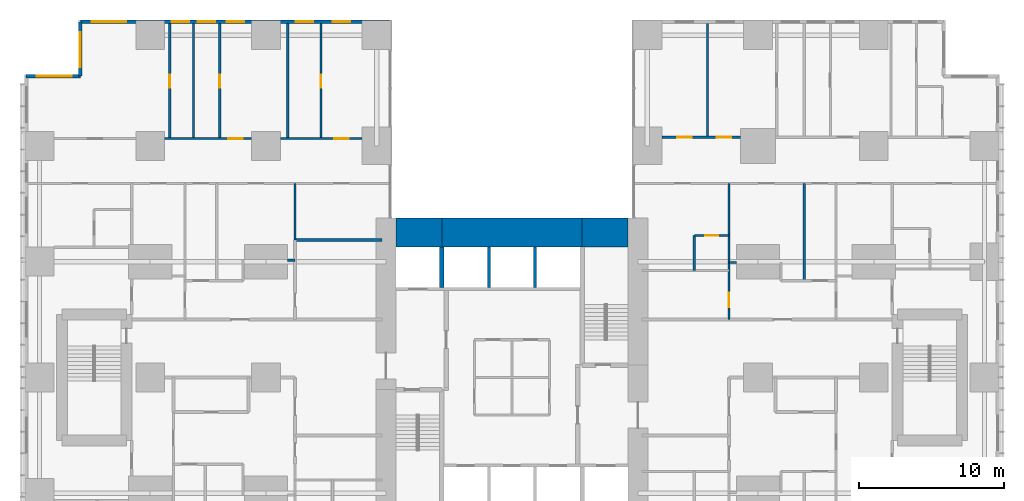
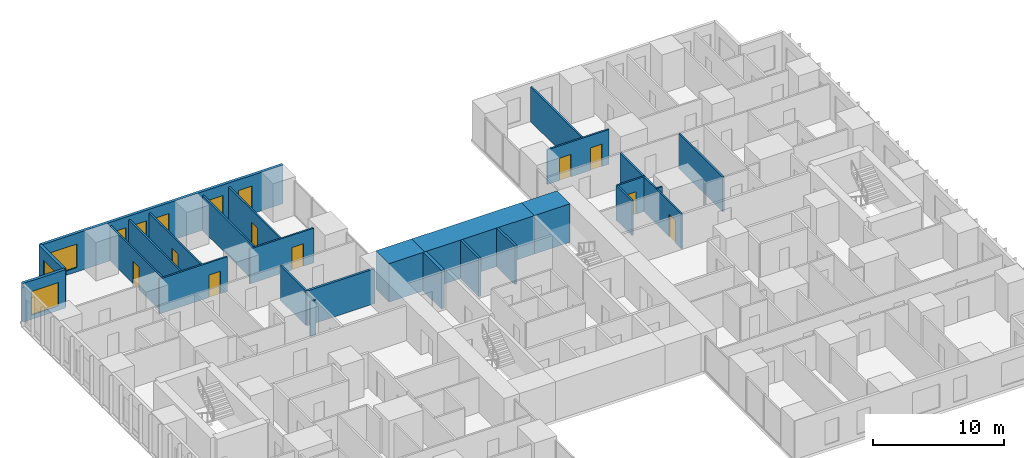
# One storey, part 17 of 20: 26 walls, 9 doors, 8 windows, 17 openings.
"""IFC4 building model written with IfcOpenShell, lengths in metres."""

from ifc_helpers import new_model, si_unit, direction, frame, frame_2d, origin, place, context, subcontext, project, spatial, rectangle, extrude, material, layer, layer_set, type_object, element, fill, save


model = new_model("IFC4")

# Units and contexts
model_context = context("Model", 3, precision=1e-05, world=origin(), true_north=direction((0.0, 1.0)))
body_context = subcontext(model_context, "Body", "Model", "MODEL_VIEW")
ifc_project = project(units=[si_unit("LENGTHUNIT", "METRE"), si_unit("AREAUNIT", "SQUARE_METRE"), si_unit("VOLUMEUNIT", "CUBIC_METRE"), si_unit("PLANEANGLEUNIT", "RADIAN"), si_unit("MASSUNIT", "GRAM", prefix="KILO")], contexts=[model_context])

# Site, building, storey
site_placement = place(None, origin())
site = spatial("IfcSite", under=ifc_project, at=site_placement, CompositionType="ELEMENT")
building_placement = place(site_placement, origin())
building = spatial("IfcBuilding", under=site, at=building_placement, Name="Cleftline Residences", CompositionType="ELEMENT")
storey_placement = place(building_placement, frame((0.0, 0.0, 168.199951171875)))
storey = spatial("IfcBuildingStorey", under=building, at=storey_placement, Name="L44", CompositionType="ELEMENT", Elevation=168.199951171875)

# Walls
ifc_material_1 = material(Name="Concrete B70", Category="concrete")
ifc_layer_1 = layer(ifc_material_1, 2.0)
ifc_layer_set_1 = layer_set([ifc_layer_1], Name="CORE WALL 2000")
wall_type_1 = type_object("IfcWallType", Name="CORE WALL 2000", PredefinedType="SHEAR", material=ifc_layer_set_1)
wall_1_placement = place(storey_placement, frame((25.0, 34.0, 0.0), z_axis=(0.0, 0.0, 1.0), x_axis=(1.0, 0.0, 0.0)))
element("IfcWall", 1, at=wall_1_placement, inside=storey, type_object=wall_type_1, Name="Core wall N1", PredefinedType="SHEAR", context=body_context, shape_type="SweptSolid", body=[
    extrude(rectangle(XDim=3.14990234375, YDim=2.0, at=frame_2d((1.574951171875, 0.0))), origin(), (0.0, 0.0, 1.0), 3.60009765625),
])
wall_2_placement = place(storey_placement, frame((28.14990234375, 34.0, 0.0), z_axis=(0.0, 0.0, 1.0), x_axis=(1.0, 0.0, 0.0)))
element("IfcWall", 2, at=wall_2_placement, inside=storey, type_object=wall_type_1, Name="Core wall N2", PredefinedType="SHEAR", context=body_context, shape_type="SweptSolid", body=[
    extrude(rectangle(XDim=9.7001953125, YDim=2.0, at=frame_2d((4.85009765625, 0.0))), origin(), (0.0, 0.0, 1.0), 3.60009765625),
])
wall_3_placement = place(storey_placement, frame((37.85009765625, 34.0, 0.0), z_axis=(0.0, 0.0, 1.0), x_axis=(1.0, 0.0, 0.0)))
element("IfcWall", 3, at=wall_3_placement, inside=storey, type_object=wall_type_1, Name="Core wall N3", PredefinedType="SHEAR", context=body_context, shape_type="SweptSolid", body=[
    extrude(rectangle(XDim=3.14990234375, YDim=2.0, at=frame_2d((1.574951171875, 0.0))), origin(), (0.0, 0.0, 1.0), 3.60009765625),
])
ifc_material_2 = material(Name="Concrete B70", Category="concrete")
ifc_layer_2 = layer(ifc_material_2, 0.300048828125)
ifc_layer_set_2 = layer_set([ifc_layer_2], Name="CORE WALL 300")
wall_type_2 = type_object("IfcWallType", Name="CORE WALL 300", PredefinedType="SHEAR", material=ifc_layer_set_2)
wall_4_placement = place(storey_placement, frame((28.14990234375, 30.199951171875, 0.0), z_axis=(0.0, 0.0, 1.0), x_axis=(0.0, 1.0, 0.0)))
element("IfcWall", 4, at=wall_4_placement, inside=storey, type_object=wall_type_2, Name="Lift shaft wall", PredefinedType="SHEAR", context=body_context, shape_type="SweptSolid", body=[
    extrude(rectangle(XDim=2.800048828125, YDim=0.300048828125, at=frame_2d((1.39990234375, 0.0))), origin(), (0.0, 0.0, 1.0), 3.60009765625),
])

# Wall, openings, windows
ifc_material_3 = material(Name="Rendered reinforced concrete blockwork", Category="masonry")
ifc_layer_3 = layer(ifc_material_3, 0.25)
ifc_layer_set_3 = layer_set([ifc_layer_3], Name="EXTERNAL WALL 250")
wall_type_3 = type_object("IfcWallType", Name="EXTERNAL WALL 250", PredefinedType="SOLIDWALL", material=ifc_layer_set_3)
wall_5_placement = place(storey_placement, frame((24.574951171875, 48.574951171875, 0.0), z_axis=(0.0, 0.0, 1.0), x_axis=(-1.0, 0.0, 0.0)))
wall_5 = element("IfcWall", 5, at=wall_5_placement, inside=storey, type_object=wall_type_3, Name="External wall", PredefinedType="SOLIDWALL", context=body_context, shape_type="SweptSolid", body=[
    extrude(rectangle(XDim=21.39990234375, YDim=0.25, at=frame_2d((10.699951171875, 0.0))), origin(), (0.0, 0.0, 1.0), 3.60009765625),
])
opening_1_placement = place(wall_5_placement, frame((2.75, 0.0, 0.39990234375)))
opening_1 = element("IfcOpeningElement", 6, at=opening_1_placement, cuts=wall_5, Name="Opening W11", PredefinedType="OPENING", context=body_context, shape_type="SweptSolid", body=[
    extrude(rectangle(XDim=1.199951171875, YDim=2.199951171875, at=frame_2d((0.60009765625, 1.10009765625))), frame((0.0, 0.135009765625, 0.0), z_axis=(0.0, -1.0, 0.0), x_axis=(1.0, 0.0, 0.0)), (0.0, 0.0, 1.0), 0.27001953125),
])
opening_2_placement = place(wall_5_placement, frame((5.324951171875, 0.0, 0.39990234375)))
opening_2 = element("IfcOpeningElement", 7, at=opening_2_placement, cuts=wall_5, Name="Opening W11", PredefinedType="OPENING", context=body_context, shape_type="SweptSolid", body=[
    extrude(rectangle(XDim=1.199951171875, YDim=2.199951171875, at=frame_2d((0.60009765625, 1.10009765625))), frame((0.0, 0.135009765625, 0.0), z_axis=(0.0, -1.0, 0.0), x_axis=(1.0, 0.0, 0.0)), (0.0, 0.0, 1.0), 0.27001953125),
])
opening_3_placement = place(wall_5_placement, frame((10.074951171875, 0.0, 0.39990234375)))
opening_3 = element("IfcOpeningElement", 8, at=opening_3_placement, cuts=wall_5, Name="Opening W11", PredefinedType="OPENING", context=body_context, shape_type="SweptSolid", body=[
    extrude(rectangle(XDim=1.199951171875, YDim=2.199951171875, at=frame_2d((0.60009765625, 1.10009765625))), frame((0.0, 0.135009765625, 0.0), z_axis=(0.0, -1.0, 0.0), x_axis=(1.0, 0.0, 0.0)), (0.0, 0.0, 1.0), 0.27001953125),
])
opening_4_placement = place(wall_5_placement, frame((12.074951171875, 0.0, 0.39990234375)))
opening_4 = element("IfcOpeningElement", 9, at=opening_4_placement, cuts=wall_5, Name="Opening W11", PredefinedType="OPENING", context=body_context, shape_type="SweptSolid", body=[
    extrude(rectangle(XDim=1.199951171875, YDim=2.199951171875, at=frame_2d((0.60009765625, 1.10009765625))), frame((0.0, 0.135009765625, 0.0), z_axis=(0.0, -1.0, 0.0), x_axis=(1.0, 0.0, 0.0)), (0.0, 0.0, 1.0), 0.27001953125),
])
opening_5_placement = place(wall_5_placement, frame((13.875, 0.0, 0.39990234375)))
opening_5 = element("IfcOpeningElement", 10, at=opening_5_placement, cuts=wall_5, Name="Opening W11", PredefinedType="OPENING", context=body_context, shape_type="SweptSolid", body=[
    extrude(rectangle(XDim=1.199951171875, YDim=2.199951171875, at=frame_2d((0.60009765625, 1.10009765625))), frame((0.0, 0.135009765625, 0.0), z_axis=(0.0, -1.0, 0.0), x_axis=(1.0, 0.0, 0.0)), (0.0, 0.0, 1.0), 0.27001953125),
])
opening_6_placement = place(wall_5_placement, frame((18.22509765625, 0.0, 0.39990234375)))
opening_6 = element("IfcOpeningElement", 11, at=opening_6_placement, cuts=wall_5, Name="Opening W12", PredefinedType="OPENING", context=body_context, shape_type="SweptSolid", body=[
    extrude(rectangle(XDim=2.39990234375, YDim=2.199951171875, at=frame_2d((1.199951171875, 1.10009765625))), frame((0.0, 0.135009765625, 0.0), z_axis=(0.0, -1.0, 0.0), x_axis=(1.0, 0.0, 0.0)), (0.0, 0.0, 1.0), 0.27001953125),
])
ifc_material_4 = material(Name="Aluminium frame, clear double glazing", Category="aluminium")
window_type_1 = type_object("IfcWindowType", Name="WINDOW 1200X2200", PartitioningType="DOUBLE_PANEL_VERTICAL", PredefinedType="WINDOW", material=ifc_material_4)
window_1_placement = place(opening_1_placement, origin())
window_1 = element("IfcWindow", 12, at=window_1_placement, inside=storey, type_object=window_type_1, Name="Window", OverallHeight=2.199951171875, OverallWidth=1.199951171875, PartitioningType="SINGLE_PANEL", PredefinedType="WINDOW", context=body_context, shape_type="SweptSolid", body=[
    extrude(rectangle(XDim=1.199951171875, YDim=2.199951171875, at=frame_2d((0.60009765625, 1.10009765625))), frame((0.0, 0.030029296875, 0.0), z_axis=(0.0, -1.0, 0.0), x_axis=(1.0, 0.0, 0.0)), (0.0, 0.0, 1.0), 0.06005859375),
])
fill(opening_1, window_1)
window_2_placement = place(opening_2_placement, origin())
window_2 = element("IfcWindow", 13, at=window_2_placement, inside=storey, type_object=window_type_1, Name="Window", OverallHeight=2.199951171875, OverallWidth=1.199951171875, PartitioningType="SINGLE_PANEL", PredefinedType="WINDOW", context=body_context, shape_type="SweptSolid", body=[
    extrude(rectangle(XDim=1.199951171875, YDim=2.199951171875, at=frame_2d((0.60009765625, 1.10009765625))), frame((0.0, 0.030029296875, 0.0), z_axis=(0.0, -1.0, 0.0), x_axis=(1.0, 0.0, 0.0)), (0.0, 0.0, 1.0), 0.06005859375),
])
fill(opening_2, window_2)
window_3_placement = place(opening_3_placement, origin())
window_3 = element("IfcWindow", 14, at=window_3_placement, inside=storey, type_object=window_type_1, Name="Window", OverallHeight=2.199951171875, OverallWidth=1.199951171875, PartitioningType="SINGLE_PANEL", PredefinedType="WINDOW", context=body_context, shape_type="SweptSolid", body=[
    extrude(rectangle(XDim=1.199951171875, YDim=2.199951171875, at=frame_2d((0.60009765625, 1.10009765625))), frame((0.0, 0.030029296875, 0.0), z_axis=(0.0, -1.0, 0.0), x_axis=(1.0, 0.0, 0.0)), (0.0, 0.0, 1.0), 0.06005859375),
])
fill(opening_3, window_3)
window_4_placement = place(opening_4_placement, origin())
window_4 = element("IfcWindow", 15, at=window_4_placement, inside=storey, type_object=window_type_1, Name="Window", OverallHeight=2.199951171875, OverallWidth=1.199951171875, PartitioningType="SINGLE_PANEL", PredefinedType="WINDOW", context=body_context, shape_type="SweptSolid", body=[
    extrude(rectangle(XDim=1.199951171875, YDim=2.199951171875, at=frame_2d((0.60009765625, 1.10009765625))), frame((0.0, 0.030029296875, 0.0), z_axis=(0.0, -1.0, 0.0), x_axis=(1.0, 0.0, 0.0)), (0.0, 0.0, 1.0), 0.06005859375),
])
fill(opening_4, window_4)
window_5_placement = place(opening_5_placement, origin())
window_5 = element("IfcWindow", 16, at=window_5_placement, inside=storey, type_object=window_type_1, Name="Window", OverallHeight=2.199951171875, OverallWidth=1.199951171875, PartitioningType="SINGLE_PANEL", PredefinedType="WINDOW", context=body_context, shape_type="SweptSolid", body=[
    extrude(rectangle(XDim=1.199951171875, YDim=2.199951171875, at=frame_2d((0.60009765625, 1.10009765625))), frame((0.0, 0.030029296875, 0.0), z_axis=(0.0, -1.0, 0.0), x_axis=(1.0, 0.0, 0.0)), (0.0, 0.0, 1.0), 0.06005859375),
])
fill(opening_5, window_5)
ifc_material_5 = material(Name="Aluminium frame, clear double glazing", Category="aluminium")
window_type_2 = type_object("IfcWindowType", Name="WINDOW 2400X2200", PartitioningType="DOUBLE_PANEL_VERTICAL", PredefinedType="WINDOW", material=ifc_material_5)
window_6_placement = place(opening_6_placement, origin())
window_6 = element("IfcWindow", 17, at=window_6_placement, inside=storey, type_object=window_type_2, Name="Window", OverallHeight=2.199951171875, OverallWidth=2.39990234375, PartitioningType="SINGLE_PANEL", PredefinedType="WINDOW", context=body_context, shape_type="SweptSolid", body=[
    extrude(rectangle(XDim=2.39990234375, YDim=2.199951171875, at=frame_2d((1.199951171875, 1.10009765625))), frame((0.0, 0.030029296875, 0.0), z_axis=(0.0, -1.0, 0.0), x_axis=(1.0, 0.0, 0.0)), (0.0, 0.0, 1.0), 0.06005859375),
])
fill(opening_6, window_6)

# Wall, opening, window
wall_6_placement = place(storey_placement, frame((3.175048828125, 48.574951171875, 0.0), z_axis=(0.0, 0.0, 1.0), x_axis=(0.0, -1.0, 0.0)))
wall_6 = element("IfcWall", 18, at=wall_6_placement, inside=storey, type_object=wall_type_3, Name="External wall", PredefinedType="SOLIDWALL", context=body_context, shape_type="SweptSolid", body=[
    extrude(rectangle(XDim=3.75, YDim=0.25, at=frame_2d((1.875, 0.0))), origin(), (0.0, 0.0, 1.0), 3.60009765625),
])
opening_7_placement = place(wall_6_placement, frame((0.737548828125, 0.0, 0.39990234375)))
opening_7 = element("IfcOpeningElement", 19, at=opening_7_placement, cuts=wall_6, Name="Opening W12", PredefinedType="OPENING", context=body_context, shape_type="SweptSolid", body=[
    extrude(rectangle(XDim=2.39990234375, YDim=2.199951171875, at=frame_2d((1.199951171875, 1.10009765625))), frame((0.0, 0.135009765625, 0.0), z_axis=(0.0, -1.0, 0.0), x_axis=(1.0, 0.0, 0.0)), (0.0, 0.0, 1.0), 0.27001953125),
])
window_7_placement = place(opening_7_placement, origin())
window_7 = element("IfcWindow", 20, at=window_7_placement, inside=storey, type_object=window_type_2, Name="Window", OverallHeight=2.199951171875, OverallWidth=2.39990234375, PartitioningType="SINGLE_PANEL", PredefinedType="WINDOW", context=body_context, shape_type="SweptSolid", body=[
    extrude(rectangle(XDim=2.39990234375, YDim=2.199951171875, at=frame_2d((1.199951171875, 1.10009765625))), frame((0.0, 0.030029296875, 0.0), z_axis=(0.0, -1.0, 0.0), x_axis=(1.0, 0.0, 0.0)), (0.0, 0.0, 1.0), 0.06005859375),
])
fill(opening_7, window_7)

wall_7_placement = place(storey_placement, frame((3.175048828125, 44.824951171875, 0.0), z_axis=(0.0, 0.0, 1.0), x_axis=(-1.0, 0.0, 0.0)))
wall_7 = element("IfcWall", 21, at=wall_7_placement, inside=storey, type_object=wall_type_3, Name="External wall", PredefinedType="SOLIDWALL", context=body_context, shape_type="SweptSolid", body=[
    extrude(rectangle(XDim=3.75, YDim=0.25, at=frame_2d((1.875, 0.0))), origin(), (0.0, 0.0, 1.0), 3.60009765625),
])
opening_8_placement = place(wall_7_placement, frame((0.612548828125, 0.0, 0.39990234375)))
opening_8 = element("IfcOpeningElement", 22, at=opening_8_placement, cuts=wall_7, Name="Opening W12", PredefinedType="OPENING", context=body_context, shape_type="SweptSolid", body=[
    extrude(rectangle(XDim=2.39990234375, YDim=2.199951171875, at=frame_2d((1.199951171875, 1.10009765625))), frame((0.0, 0.135009765625, 0.0), z_axis=(0.0, -1.0, 0.0), x_axis=(1.0, 0.0, 0.0)), (0.0, 0.0, 1.0), 0.27001953125),
])
window_8_placement = place(opening_8_placement, origin())
window_8 = element("IfcWindow", 23, at=window_8_placement, inside=storey, type_object=window_type_2, Name="Window", OverallHeight=2.199951171875, OverallWidth=2.39990234375, PartitioningType="SINGLE_PANEL", PredefinedType="WINDOW", context=body_context, shape_type="SweptSolid", body=[
    extrude(rectangle(XDim=2.39990234375, YDim=2.199951171875, at=frame_2d((1.199951171875, 1.10009765625))), frame((0.0, 0.030029296875, 0.0), z_axis=(0.0, -1.0, 0.0), x_axis=(1.0, 0.0, 0.0)), (0.0, 0.0, 1.0), 0.06005859375),
])
fill(opening_8, window_8)

# Walls
ifc_material_6 = material(Name="Concrete blockwork, fire rated", Category="masonry")
ifc_layer_4 = layer(ifc_material_6, 0.199951171875)
ifc_layer_set_4 = layer_set([ifc_layer_4], Name="FIRE WALL 200")
wall_type_4 = type_object("IfcWallType", Name="FIRE WALL 200", PredefinedType="PARTITIONING", material=ifc_layer_set_4)
wall_8_placement = place(storey_placement, frame((18.0, 33.5, 0.0), z_axis=(0.0, 0.0, 1.0), x_axis=(1.0, 0.0, 0.0)))
element("IfcWall", 24, at=wall_8_placement, inside=storey, type_object=wall_type_4, Name="Fire separating wall", PredefinedType="PARTITIONING", context=body_context, shape_type="SweptSolid", body=[
    extrude(rectangle(XDim=6.0, YDim=0.199951171875, at=frame_2d((3.0, 0.0))), origin(), (0.0, 0.0, 1.0), 3.25),
])
ifc_material_7 = material(Name="Gypsum board on steel studs", Category="steel")
ifc_layer_5 = layer(ifc_material_7, 0.14990234375)
ifc_layer_set_5 = layer_set([ifc_layer_5], Name="PARTITION 150")
wall_type_5 = type_object("IfcWallType", Name="PARTITION 150", PredefinedType="PARTITIONING", material=ifc_layer_set_5)
for number, where, z_axis, x_axis, name in (
    (25, (48.0, 31.949951171875, 0.0), (0.0, 0.0, 1.0), (1.0, 0.0, 0.0), "Partition"),
    (26, (17.5, 32.10009765625, 0.0), (0.0, 0.0, 1.0), (1.0, 0.0, 0.0), "Partition"),
):
    element("IfcWall", number, at=place(storey_placement, frame(where, z_axis=z_axis, x_axis=x_axis)), inside=storey, type_object=wall_type_5, Name=name, PredefinedType="PARTITIONING", context=body_context, shape_type="SweptSolid", body=[
        extrude(rectangle(XDim=0.5, YDim=0.14990234375, at=frame_2d((0.25, 0.0))), origin(), (0.0, 0.0, 1.0), 3.25),
    ])

# Wall, opening, door
wall_9_placement = place(storey_placement, frame((45.60009765625, 33.800048828125, 0.0), z_axis=(0.0, 0.0, 1.0), x_axis=(1.0, 0.0, 0.0)))
wall_9 = element("IfcWall", 27, at=wall_9_placement, inside=storey, type_object=wall_type_5, Name="Partition", PredefinedType="PARTITIONING", context=body_context, shape_type="SweptSolid", body=[
    extrude(rectangle(XDim=2.39990234375, YDim=0.14990234375, at=frame_2d((1.199951171875, 0.0))), origin(), (0.0, 0.0, 1.0), 3.25),
])
opening_9_placement = place(wall_9_placement, frame((0.75, 0.0, 0.0)))
opening_9 = element("IfcOpeningElement", 28, at=opening_9_placement, cuts=wall_9, Name="Opening D1", PredefinedType="OPENING", context=body_context, shape_type="SweptSolid", body=[
    extrude(rectangle(XDim=0.89990234375, YDim=2.10009765625, at=frame_2d((0.449951171875, 1.050048828125))), frame((0.0, 0.0849609375, 0.0), z_axis=(0.0, -1.0, 0.0), x_axis=(1.0, 0.0, 0.0)), (0.0, 0.0, 1.0), 0.169921875),
])
ifc_material_8 = material(Name="Timber veneer on solid core", Category="wood")
door_type_1 = type_object("IfcDoorType", Name="DOOR 900X2100", OperationType="SINGLE_SWING_LEFT", PredefinedType="DOOR", material=ifc_material_8)
door_1_placement = place(opening_9_placement, origin())
door_1 = element("IfcDoor", 29, at=door_1_placement, inside=storey, type_object=door_type_1, Name="Door to staff shower room", OperationType="SINGLE_SWING_LEFT", OverallHeight=2.10009765625, OverallWidth=0.89990234375, PredefinedType="DOOR", context=body_context, shape_type="SweptSolid", body=[
    extrude(rectangle(XDim=0.89990234375, YDim=2.10009765625, at=frame_2d((0.449951171875, 1.050048828125))), frame((0.0, 0.02490234375, 0.0), z_axis=(0.0, -1.0, 0.0), x_axis=(1.0, 0.0, 0.0)), (0.0, 0.0, 1.0), 0.050048828125),
])
fill(opening_9, door_1)

wall_10_placement = place(storey_placement, frame((9.0, 40.5, 0.0), z_axis=(0.0, 0.0, 1.0), x_axis=(1.0, 0.0, 0.0)))
wall_10 = element("IfcWall", 30, at=wall_10_placement, inside=storey, type_object=wall_type_5, Name="Partition", PredefinedType="PARTITIONING", context=body_context, shape_type="SweptSolid", body=[
    extrude(rectangle(XDim=6.0, YDim=0.14990234375, at=frame_2d((3.0, 0.0))), origin(), (0.0, 0.0, 1.0), 3.25),
])
opening_10_placement = place(wall_10_placement, frame((4.39990234375, 0.0, 0.0)))
opening_10 = element("IfcOpeningElement", 31, at=opening_10_placement, cuts=wall_10, Name="Opening D2", PredefinedType="OPENING", context=body_context, shape_type="SweptSolid", body=[
    extrude(rectangle(XDim=1.0, YDim=2.10009765625, at=frame_2d((0.5, 1.050048828125))), frame((0.0, 0.0849609375, 0.0), z_axis=(0.0, -1.0, 0.0), x_axis=(1.0, 0.0, 0.0)), (0.0, 0.0, 1.0), 0.169921875),
])
ifc_material_9 = material(Name="Timber veneer on solid core", Category="wood")
door_type_2 = type_object("IfcDoorType", Name="DOOR 1000X2100", OperationType="SINGLE_SWING_LEFT", PredefinedType="DOOR", material=ifc_material_9)
door_2_placement = place(opening_10_placement, origin())
door_2 = element("IfcDoor", 32, at=door_2_placement, inside=storey, type_object=door_type_2, Name="Door to bedroom 2", OperationType="SINGLE_SWING_LEFT", OverallHeight=2.10009765625, OverallWidth=1.0, PredefinedType="DOOR", context=body_context, shape_type="SweptSolid", body=[
    extrude(rectangle(XDim=1.0, YDim=2.10009765625, at=frame_2d((0.5, 1.050048828125))), frame((0.0, 0.02490234375, 0.0), z_axis=(0.0, -1.0, 0.0), x_axis=(1.0, 0.0, 0.0)), (0.0, 0.0, 1.0), 0.050048828125),
])
fill(opening_10, door_2)

wall_11_placement = place(storey_placement, frame((17.0, 40.5, 0.0), z_axis=(0.0, 0.0, 1.0), x_axis=(1.0, 0.0, 0.0)))
wall_11 = element("IfcWall", 33, at=wall_11_placement, inside=storey, type_object=wall_type_5, Name="Partition", PredefinedType="PARTITIONING", context=body_context, shape_type="SweptSolid", body=[
    extrude(rectangle(XDim=5.64990234375, YDim=0.14990234375, at=frame_2d((2.824951171875, 0.0))), origin(), (0.0, 0.0, 1.0), 3.25),
])
opening_11_placement = place(wall_11_placement, frame((3.72509765625, 0.0, 0.0)))
opening_11 = element("IfcOpeningElement", 34, at=opening_11_placement, cuts=wall_11, Name="Opening D2", PredefinedType="OPENING", context=body_context, shape_type="SweptSolid", body=[
    extrude(rectangle(XDim=1.0, YDim=2.10009765625, at=frame_2d((0.5, 1.050048828125))), frame((0.0, 0.0849609375, 0.0), z_axis=(0.0, -1.0, 0.0), x_axis=(1.0, 0.0, 0.0)), (0.0, 0.0, 1.0), 0.169921875),
])
door_3_placement = place(opening_11_placement, origin())
door_3 = element("IfcDoor", 35, at=door_3_placement, inside=storey, type_object=door_type_2, Name="Door to bedroom 3", OperationType="SINGLE_SWING_LEFT", OverallHeight=2.10009765625, OverallWidth=1.0, PredefinedType="DOOR", context=body_context, shape_type="SweptSolid", body=[
    extrude(rectangle(XDim=1.0, YDim=2.10009765625, at=frame_2d((0.5, 1.050048828125))), frame((0.0, 0.02490234375, 0.0), z_axis=(0.0, -1.0, 0.0), x_axis=(1.0, 0.0, 0.0)), (0.0, 0.0, 1.0), 0.050048828125),
])
fill(opening_11, door_3)

# Wall, openings, doors
wall_12_placement = place(storey_placement, frame((43.35009765625, 40.60009765625, 0.0), z_axis=(0.0, 0.0, 1.0), x_axis=(1.0, 0.0, 0.0)))
wall_12 = element("IfcWall", 36, at=wall_12_placement, inside=storey, type_object=wall_type_5, Name="Partition", PredefinedType="PARTITIONING", context=body_context, shape_type="SweptSolid", body=[
    extrude(rectangle(XDim=5.449951171875, YDim=0.14990234375, at=frame_2d((2.72509765625, 0.0))), origin(), (0.0, 0.0, 1.0), 3.25),
])
opening_12_placement = place(wall_12_placement, frame((3.800048828125, 0.0, 0.0)))
opening_12 = element("IfcOpeningElement", 37, at=opening_12_placement, cuts=wall_12, Name="Opening D2", PredefinedType="OPENING", context=body_context, shape_type="SweptSolid", body=[
    extrude(rectangle(XDim=1.0, YDim=2.10009765625, at=frame_2d((0.5, 1.050048828125))), frame((0.0, 0.0849609375, 0.0), z_axis=(0.0, -1.0, 0.0), x_axis=(1.0, 0.0, 0.0)), (0.0, 0.0, 1.0), 0.169921875),
])
opening_13_placement = place(wall_12_placement, frame((1.074951171875, 0.0, 0.0)))
opening_13 = element("IfcOpeningElement", 38, at=opening_13_placement, cuts=wall_12, Name="Opening D2", PredefinedType="OPENING", context=body_context, shape_type="SweptSolid", body=[
    extrude(rectangle(XDim=1.0, YDim=2.10009765625, at=frame_2d((0.5, 1.050048828125))), frame((0.0, 0.0849609375, 0.0), z_axis=(0.0, -1.0, 0.0), x_axis=(1.0, 0.0, 0.0)), (0.0, 0.0, 1.0), 0.169921875),
])
door_4_placement = place(opening_12_placement, origin())
door_4 = element("IfcDoor", 39, at=door_4_placement, inside=storey, type_object=door_type_2, Name="Door to bedroom 4", OperationType="SINGLE_SWING_LEFT", OverallHeight=2.10009765625, OverallWidth=1.0, PredefinedType="DOOR", context=body_context, shape_type="SweptSolid", body=[
    extrude(rectangle(XDim=1.0, YDim=2.10009765625, at=frame_2d((0.5, 1.050048828125))), frame((0.0, 0.02490234375, 0.0), z_axis=(0.0, -1.0, 0.0), x_axis=(1.0, 0.0, 0.0)), (0.0, 0.0, 1.0), 0.050048828125),
])
fill(opening_12, door_4)
door_5_placement = place(opening_13_placement, origin())
door_5 = element("IfcDoor", 40, at=door_5_placement, inside=storey, type_object=door_type_2, Name="Door to bedroom 4 sitting room", OperationType="SINGLE_SWING_RIGHT", OverallHeight=2.10009765625, OverallWidth=1.0, PredefinedType="DOOR", context=body_context, shape_type="SweptSolid", body=[
    extrude(rectangle(XDim=1.0, YDim=2.10009765625, at=frame_2d((0.5, 1.050048828125))), frame((0.0, 0.02490234375, 0.0), z_axis=(0.0, -1.0, 0.0), x_axis=(1.0, 0.0, 0.0)), (0.0, 0.0, 1.0), 0.050048828125),
])
fill(opening_13, door_5)

# Wall, opening, door
wall_13_placement = place(storey_placement, frame((9.35009765625, 40.5, 0.0), z_axis=(0.0, 0.0, 1.0), x_axis=(0.0, 1.0, 0.0)))
wall_13 = element("IfcWall", 41, at=wall_13_placement, inside=storey, type_object=wall_type_5, Name="Partition", PredefinedType="PARTITIONING", context=body_context, shape_type="SweptSolid", body=[
    extrude(rectangle(XDim=7.949951171875, YDim=0.14990234375, at=frame_2d((3.97509765625, 0.0))), origin(), (0.0, 0.0, 1.0), 3.25),
])
opening_14_placement = place(wall_13_placement, frame((3.52490234375, 0.0, 0.0)))
opening_14 = element("IfcOpeningElement", 42, at=opening_14_placement, cuts=wall_13, Name="Opening D1", PredefinedType="OPENING", context=body_context, shape_type="SweptSolid", body=[
    extrude(rectangle(XDim=0.89990234375, YDim=2.10009765625, at=frame_2d((0.449951171875, 1.050048828125))), frame((0.0, 0.0849609375, 0.0), z_axis=(0.0, -1.0, 0.0), x_axis=(1.0, 0.0, 0.0)), (0.0, 0.0, 1.0), 0.169921875),
])
door_6_placement = place(opening_14_placement, origin())
door_6 = element("IfcDoor", 43, at=door_6_placement, inside=storey, type_object=door_type_1, Name="Door to store room", OperationType="SINGLE_SWING_LEFT", OverallHeight=2.10009765625, OverallWidth=0.89990234375, PredefinedType="DOOR", context=body_context, shape_type="SweptSolid", body=[
    extrude(rectangle(XDim=0.89990234375, YDim=2.10009765625, at=frame_2d((0.449951171875, 1.050048828125))), frame((0.0, 0.02490234375, 0.0), z_axis=(0.0, -1.0, 0.0), x_axis=(1.0, 0.0, 0.0)), (0.0, 0.0, 1.0), 0.050048828125),
])
fill(opening_14, door_6)

# Wall
wall_14_placement = place(storey_placement, frame((11.0, 40.5, 0.0), z_axis=(0.0, 0.0, 1.0), x_axis=(0.0, 1.0, 0.0)))
element("IfcWall", 44, at=wall_14_placement, inside=storey, type_object=wall_type_5, Name="Partition", PredefinedType="PARTITIONING", context=body_context, shape_type="SweptSolid", body=[
    extrude(rectangle(XDim=7.949951171875, YDim=0.14990234375, at=frame_2d((3.97509765625, 0.0))), origin(), (0.0, 0.0, 1.0), 3.25),
])

# Wall, opening, door
wall_15_placement = place(storey_placement, frame((12.800048828125, 40.5, 0.0), z_axis=(0.0, 0.0, 1.0), x_axis=(0.0, 1.0, 0.0)))
wall_15 = element("IfcWall", 45, at=wall_15_placement, inside=storey, type_object=wall_type_5, Name="Partition", PredefinedType="PARTITIONING", context=body_context, shape_type="SweptSolid", body=[
    extrude(rectangle(XDim=7.949951171875, YDim=0.14990234375, at=frame_2d((3.97509765625, 0.0))), origin(), (0.0, 0.0, 1.0), 3.25),
])
opening_15_placement = place(wall_15_placement, frame((3.52490234375, 0.0, 0.0)))
opening_15 = element("IfcOpeningElement", 46, at=opening_15_placement, cuts=wall_15, Name="Opening D1", PredefinedType="OPENING", context=body_context, shape_type="SweptSolid", body=[
    extrude(rectangle(XDim=0.89990234375, YDim=2.10009765625, at=frame_2d((0.449951171875, 1.050048828125))), frame((0.0, 0.0849609375, 0.0), z_axis=(0.0, -1.0, 0.0), x_axis=(1.0, 0.0, 0.0)), (0.0, 0.0, 1.0), 0.169921875),
])
door_7_placement = place(opening_15_placement, origin())
door_7 = element("IfcDoor", 47, at=door_7_placement, inside=storey, type_object=door_type_1, Name="Door to en-suite bathroom 2", OperationType="SINGLE_SWING_LEFT", OverallHeight=2.10009765625, OverallWidth=0.89990234375, PredefinedType="DOOR", context=body_context, shape_type="SweptSolid", body=[
    extrude(rectangle(XDim=0.89990234375, YDim=2.10009765625, at=frame_2d((0.449951171875, 1.050048828125))), frame((0.0, 0.02490234375, 0.0), z_axis=(0.0, -1.0, 0.0), x_axis=(1.0, 0.0, 0.0)), (0.0, 0.0, 1.0), 0.050048828125),
])
fill(opening_15, door_7)

# Walls
wall_16_placement = place(storey_placement, frame((17.5, 40.5, 0.0), z_axis=(0.0, 0.0, 1.0), x_axis=(0.0, 1.0, 0.0)))
element("IfcWall", 48, at=wall_16_placement, inside=storey, type_object=wall_type_5, Name="Partition", PredefinedType="PARTITIONING", context=body_context, shape_type="SweptSolid", body=[
    extrude(rectangle(XDim=7.949951171875, YDim=0.14990234375, at=frame_2d((3.97509765625, 0.0))), origin(), (0.0, 0.0, 1.0), 3.25),
])
wall_17_placement = place(storey_placement, frame((18.0, 33.5, 0.0), z_axis=(0.0, 0.0, 1.0), x_axis=(0.0, 1.0, 0.0)))
element("IfcWall", 49, at=wall_17_placement, inside=storey, type_object=wall_type_5, Name="Partition", PredefinedType="PARTITIONING", context=body_context, shape_type="SweptSolid", body=[
    extrude(rectangle(XDim=3.89990234375, YDim=0.14990234375, at=frame_2d((1.949951171875, 0.0))), origin(), (0.0, 0.0, 1.0), 3.25),
])

# Wall, opening, door
wall_18_placement = place(storey_placement, frame((19.800048828125, 40.5, 0.0), z_axis=(0.0, 0.0, 1.0), x_axis=(0.0, 1.0, 0.0)))
wall_18 = element("IfcWall", 50, at=wall_18_placement, inside=storey, type_object=wall_type_5, Name="Partition", PredefinedType="PARTITIONING", context=body_context, shape_type="SweptSolid", body=[
    extrude(rectangle(XDim=7.949951171875, YDim=0.14990234375, at=frame_2d((3.97509765625, 0.0))), origin(), (0.0, 0.0, 1.0), 3.25),
])
opening_16_placement = place(wall_18_placement, frame((3.52490234375, 0.0, 0.0)))
opening_16 = element("IfcOpeningElement", 51, at=opening_16_placement, cuts=wall_18, Name="Opening D1", PredefinedType="OPENING", context=body_context, shape_type="SweptSolid", body=[
    extrude(rectangle(XDim=0.89990234375, YDim=2.10009765625, at=frame_2d((0.449951171875, 1.050048828125))), frame((0.0, 0.0849609375, 0.0), z_axis=(0.0, -1.0, 0.0), x_axis=(1.0, 0.0, 0.0)), (0.0, 0.0, 1.0), 0.169921875),
])
door_8_placement = place(opening_16_placement, origin())
door_8 = element("IfcDoor", 52, at=door_8_placement, inside=storey, type_object=door_type_1, Name="Door to en-suite bathroom 3", OperationType="SINGLE_SWING_LEFT", OverallHeight=2.10009765625, OverallWidth=0.89990234375, PredefinedType="DOOR", context=body_context, shape_type="SweptSolid", body=[
    extrude(rectangle(XDim=0.89990234375, YDim=2.10009765625, at=frame_2d((0.449951171875, 1.050048828125))), frame((0.0, 0.02490234375, 0.0), z_axis=(0.0, -1.0, 0.0), x_axis=(1.0, 0.0, 0.0)), (0.0, 0.0, 1.0), 0.050048828125),
])
fill(opening_16, door_8)

# Walls
wall_19_placement = place(storey_placement, frame((45.60009765625, 31.39990234375, 0.0), z_axis=(0.0, 0.0, 1.0), x_axis=(0.0, 1.0, 0.0)))
element("IfcWall", 53, at=wall_19_placement, inside=storey, type_object=wall_type_5, Name="Partition", PredefinedType="PARTITIONING", context=body_context, shape_type="SweptSolid", body=[
    extrude(rectangle(XDim=2.400146484375, YDim=0.14990234375, at=frame_2d((1.2001953125, 0.0))), origin(), (0.0, 0.0, 1.0), 3.25),
])
wall_20_placement = place(storey_placement, frame((46.5, 40.60009765625, 0.0), z_axis=(0.0, 0.0, 1.0), x_axis=(0.0, 1.0, 0.0)))
element("IfcWall", 54, at=wall_20_placement, inside=storey, type_object=wall_type_5, Name="Partition", PredefinedType="PARTITIONING", context=body_context, shape_type="SweptSolid", body=[
    extrude(rectangle(XDim=7.849853515625, YDim=0.14990234375, at=frame_2d((3.9248046875, 0.0))), origin(), (0.0, 0.0, 1.0), 3.25),
])

# Wall, opening, door
wall_21_placement = place(storey_placement, frame((48.0, 28.0, 0.0), z_axis=(0.0, 0.0, 1.0), x_axis=(0.0, 1.0, 0.0)))
wall_21 = element("IfcWall", 55, at=wall_21_placement, inside=storey, type_object=wall_type_5, Name="Partition", PredefinedType="PARTITIONING", context=body_context, shape_type="SweptSolid", body=[
    extrude(rectangle(XDim=9.39990234375, YDim=0.14990234375, at=frame_2d((4.699951171875, 0.0))), origin(), (0.0, 0.0, 1.0), 3.25),
])
opening_17_placement = place(wall_21_placement, frame((0.83740234375, 0.0, 0.0)))
opening_17 = element("IfcOpeningElement", 56, at=opening_17_placement, cuts=wall_21, Name="Opening D2", PredefinedType="OPENING", context=body_context, shape_type="SweptSolid", body=[
    extrude(rectangle(XDim=1.0, YDim=2.10009765625, at=frame_2d((0.5, 1.050048828125))), frame((0.0, 0.0849609375, 0.0), z_axis=(0.0, -1.0, 0.0), x_axis=(1.0, 0.0, 0.0)), (0.0, 0.0, 1.0), 0.169921875),
])
door_9_placement = place(opening_17_placement, origin())
door_9 = element("IfcDoor", 57, at=door_9_placement, inside=storey, type_object=door_type_2, Name="Door to morning kitchen", OperationType="SINGLE_SWING_RIGHT", OverallHeight=2.10009765625, OverallWidth=1.0, PredefinedType="DOOR", context=body_context, shape_type="SweptSolid", body=[
    extrude(rectangle(XDim=1.0, YDim=2.10009765625, at=frame_2d((0.5, 1.050048828125))), frame((0.0, 0.02490234375, 0.0), z_axis=(0.0, -1.0, 0.0), x_axis=(1.0, 0.0, 0.0)), (0.0, 0.0, 1.0), 0.050048828125),
])
fill(opening_17, door_9)

# Walls
wall_22_placement = place(storey_placement, frame((53.199951171875, 30.675048828125, 0.0), z_axis=(0.0, 0.0, 1.0), x_axis=(0.0, 1.0, 0.0)))
element("IfcWall", 58, at=wall_22_placement, inside=storey, type_object=wall_type_5, Name="Partition", PredefinedType="PARTITIONING", context=body_context, shape_type="SweptSolid", body=[
    extrude(rectangle(XDim=6.724853515625, YDim=0.14990234375, at=frame_2d((3.3623046875, 0.0))), origin(), (0.0, 0.0, 1.0), 3.25),
])
ifc_material_10 = material(Name="Concrete blockwork, fire rated", Category="masonry")
ifc_layer_6 = layer(ifc_material_10, 0.199951171875)
ifc_layer_set_6 = layer_set([ifc_layer_6], Name="SHAFT WALL 200")
wall_type_6 = type_object("IfcWallType", Name="SHAFT WALL 200", PredefinedType="PARTITIONING", material=ifc_layer_set_6)
for number, where, z_axis, x_axis, name in (
    (59, (31.39990234375, 30.199951171875, 0.0), (0.0, 0.0, 1.0), (0.0, 1.0, 0.0), "Lift shaft wall"),
    (60, (34.60009765625, 30.199951171875, 0.0), (0.0, 0.0, 1.0), (0.0, 1.0, 0.0), "Lift shaft wall"),
):
    element("IfcWall", number, at=place(storey_placement, frame(where, z_axis=z_axis, x_axis=x_axis)), inside=storey, type_object=wall_type_6, Name=name, PredefinedType="PARTITIONING", context=body_context, shape_type="SweptSolid", body=[
        extrude(rectangle(XDim=2.800048828125, YDim=0.199951171875, at=frame_2d((1.39990234375, 0.0))), origin(), (0.0, 0.0, 1.0), 3.60009765625),
    ])

save(model, "model.ifc")
